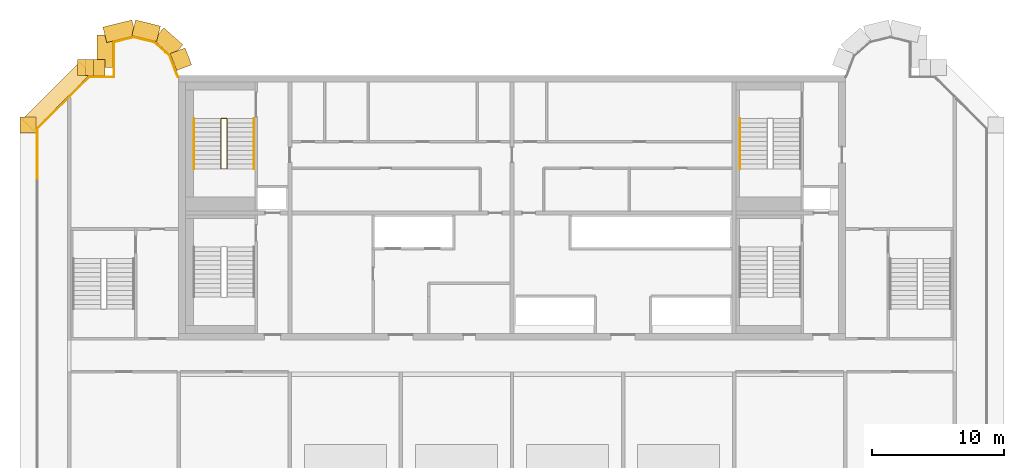
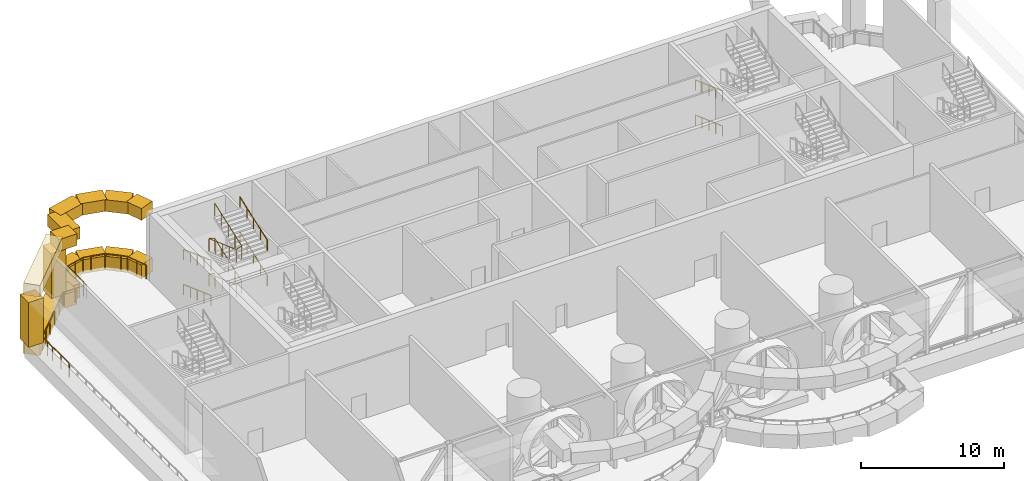
# One storey, part 11 of 15: 16 coverings, 16 railings.
"""IFC4 building model written with IfcOpenShell, lengths in metres."""

from ifc_helpers import new_model, si_unit, direction, frame, origin, origin_2d, place, context, subcontext, project, spatial, rectangle, circle, extrude, source, transform, mapped, material, type_object, element, save


model = new_model("IFC4")

# Units and contexts
model_context = context("Model", 3, precision=1e-05, world=origin(), true_north=direction((0.0, 1.0)))
body_context = subcontext(model_context, "Body", "Model", "MODEL_VIEW")
ifc_project = project(units=[si_unit("LENGTHUNIT", "METRE"), si_unit("AREAUNIT", "SQUARE_METRE"), si_unit("VOLUMEUNIT", "CUBIC_METRE"), si_unit("PLANEANGLEUNIT", "RADIAN"), si_unit("MASSUNIT", "GRAM", prefix="KILO")], contexts=[model_context])

# Site, building, storey
site_placement = place(None, origin())
site = spatial("IfcSite", under=ifc_project, at=site_placement, CompositionType="ELEMENT")
building_placement = place(site_placement, origin())
building = spatial("IfcBuilding", under=site, at=building_placement, Name="Vanashikhar Sky Hotel", CompositionType="ELEMENT")
storey_placement = place(building_placement, frame((0.0, 0.0, 317.699951171875)))
storey = spatial("IfcBuildingStorey", under=building, at=storey_placement, Name="L76", CompositionType="ELEMENT", Elevation=317.699951171875)

# Coverings
ifc_material_1 = material(Name="Concrete M60 dark", Category="concrete")
covering_type = type_object("IfcCoveringType", Name="Turbine slot portal frame", PredefinedType="CLADDING", material=ifc_material_1)
shared_shape_1 = source(origin(), body_context, "Body", "SweptSolid", [
    extrude(rectangle(XDim=6.154052734375, YDim=1.199951171875, at=origin_2d()), origin(), (0.0, 0.0, 1.0), 1.0),
])
covering_1_placement = place(storey_placement, frame((15.9755859375, 40.42431640625, 4.719970703125), z_axis=(0.0, 0.0, 1.0), x_axis=(-0.707106781187, -0.707106781187, 0.0)))
element("IfcCovering", 1, at=covering_1_placement, inside=storey, type_object=covering_type, Name="Portal frame head", PredefinedType="CLADDING", context=body_context, shape_type="MappedRepresentation", body=[
    mapped(shared_shape_1, transform((0.0, 0.0, 0.0), scale=1.0)),
])
shared_shape_2 = source(origin(), body_context, "Body", "SweptSolid", [
    extrude(rectangle(XDim=1.931640625, YDim=1.199951171875, at=origin_2d()), origin(), (0.0, 0.0, 1.0), 1.0),
])
covering_2_placement = place(storey_placement, frame((24.3984375, 44.518310546875, 4.719970703125), z_axis=(0.0, 0.0, 1.0), x_axis=(-0.749741606437, 0.661730703214, 0.0)))
element("IfcCovering", 2, at=covering_2_placement, inside=storey, type_object=covering_type, Name="Portal frame head", PredefinedType="CLADDING", context=body_context, shape_type="MappedRepresentation", body=[
    mapped(shared_shape_2, transform((0.0, 0.0, 0.0), scale=1.0)),
])
shared_shape_3 = source(origin(), body_context, "Body", "SweptSolid", [
    extrude(rectangle(XDim=1.931640625, YDim=1.199951171875, at=origin_2d()), origin(), (0.0, 0.0, 1.0), 1.179931640625),
])
covering_3_placement = place(storey_placement, frame((24.3984375, 44.518310546875, -0.27978515625), z_axis=(0.0, 0.0, 1.0), x_axis=(-0.749741606437, 0.661730703214, 0.0)))
element("IfcCovering", 3, at=covering_3_placement, inside=storey, type_object=covering_type, Name="Portal frame sill", PredefinedType="CLADDING", context=body_context, shape_type="MappedRepresentation", body=[
    mapped(shared_shape_3, transform((0.0, 0.0, 0.0), scale=1.0)),
])
shared_shape_4 = source(origin(), body_context, "Body", "SweptSolid", [
    extrude(rectangle(XDim=1.93017578125, YDim=1.199951171875, at=origin_2d()), origin(), (0.0, 0.0, 1.0), 1.0),
])
covering_4_placement = place(storey_placement, frame((22.7373046875, 45.3876953125, 4.719970703125), z_axis=(0.0, 0.0, 1.0), x_axis=(-0.971146768161, 0.23848260878, 0.0)))
element("IfcCovering", 4, at=covering_4_placement, inside=storey, type_object=covering_type, Name="Portal frame head", PredefinedType="CLADDING", context=body_context, shape_type="MappedRepresentation", body=[
    mapped(shared_shape_4, transform((0.0, 0.0, 0.0), scale=1.0)),
])
shared_shape_5 = source(origin(), body_context, "Body", "SweptSolid", [
    extrude(rectangle(XDim=1.93017578125, YDim=1.199951171875, at=origin_2d()), origin(), (0.0, 0.0, 1.0), 1.179931640625),
])
covering_5_placement = place(storey_placement, frame((22.7373046875, 45.3876953125, -0.27978515625), z_axis=(0.0, 0.0, 1.0), x_axis=(-0.971146768161, 0.23848260878, 0.0)))
element("IfcCovering", 5, at=covering_5_placement, inside=storey, type_object=covering_type, Name="Portal frame sill", PredefinedType="CLADDING", context=body_context, shape_type="MappedRepresentation", body=[
    mapped(shared_shape_5, transform((0.0, 0.0, 0.0), scale=1.0)),
])
shared_shape_6 = source(origin(), body_context, "Body", "SweptSolid", [
    extrude(rectangle(XDim=1.3701171875, YDim=1.199951171875, at=origin_2d()), origin(), (0.0, 0.0, 1.0), 1.0),
])
covering_6_placement = place(storey_placement, frame((25.36767578125, 43.239501953125, 4.719970703125), z_axis=(0.0, 0.0, 1.0), x_axis=(-0.357748696787, 0.933817899779, 0.0)))
element("IfcCovering", 6, at=covering_6_placement, inside=storey, type_object=covering_type, Name="Portal frame head", PredefinedType="CLADDING", context=body_context, shape_type="MappedRepresentation", body=[
    mapped(shared_shape_6, transform((0.0, 0.0, 0.0), scale=1.0)),
])
shared_shape_7 = source(origin(), body_context, "Body", "SweptSolid", [
    extrude(rectangle(XDim=1.3701171875, YDim=1.199951171875, at=origin_2d()), origin(), (0.0, 0.0, 1.0), 1.179931640625),
])
covering_7_placement = place(storey_placement, frame((25.36767578125, 43.239501953125, -0.27978515625), z_axis=(0.0, 0.0, 1.0), x_axis=(-0.357748696787, 0.933817899779, 0.0)))
element("IfcCovering", 7, at=covering_7_placement, inside=storey, type_object=covering_type, Name="Portal frame sill", PredefinedType="CLADDING", context=body_context, shape_type="MappedRepresentation", body=[
    mapped(shared_shape_7, transform((0.0, 0.0, 0.0), scale=1.0)),
])

# Railings
ifc_material_2 = material(Name="Stainless steel 316", Category="steel")
railing_type_1 = type_object("IfcRailingType", Name="Open edge guard 1200", PredefinedType="GUARDRAIL", material=ifc_material_2)
shared_shape_8 = source(origin(), body_context, "Body", "SweptSolid", [
    extrude(circle(Radius=0.02392578125, at=origin_2d()), frame((0.0, 0.0, 1.17578125), z_axis=(0.0, 1.0, 0.0), x_axis=(-1.0, 0.0, 0.0)), (0.0, 0.0, 1.0), 2.324462890625),
    extrude(circle(Radius=0.02099609375, at=origin_2d()), origin(), (0.0, 0.0, 1.0), 1.15185546875),
    extrude(circle(Radius=0.02099609375, at=origin_2d()), frame((0.0, 1.162109375, 0.0)), (0.0, 0.0, 1.0), 1.15185546875),
    extrude(circle(Radius=0.02099609375, at=origin_2d()), frame((0.0, 2.324462890625, 0.0)), (0.0, 0.0, 1.0), 1.15185546875),
])
railing_1_placement = place(storey_placement, frame((14.5, 34.209716796875, 0.0)))
element("IfcRailing", 8, at=railing_1_placement, inside=storey, type_object=railing_type_1, Name="Open edge guard", PredefinedType="GUARDRAIL", context=body_context, shape_type="MappedRepresentation", body=[
    mapped(shared_shape_8, transform((0.0, 0.0, 0.0), scale=1.0)),
])
shared_shape_9 = source(origin(), body_context, "Body", "SweptSolid", [
    extrude(circle(Radius=0.02392578125, at=origin_2d()), frame((0.0, 0.0, 1.17578125), z_axis=(0.0, 1.0, 0.0), x_axis=(-1.0, 0.0, 0.0)), (0.0, 0.0, 1.0), 1.42431640625),
    extrude(circle(Radius=0.02392578125, at=origin_2d()), frame((0.0, 1.42431640625, 1.17578125), z_axis=(0.707106781187, 0.707106781187, 0.0), x_axis=(-0.707106781187, 0.707106781187, 0.0)), (0.0, 0.0, 1.0), 0.900146484375),
    extrude(circle(Radius=0.02099609375, at=origin_2d()), origin(), (0.0, 0.0, 1.0), 1.15185546875),
    extrude(circle(Radius=0.02099609375, at=origin_2d()), frame((0.0, 0.712158203125, 0.0)), (0.0, 0.0, 1.0), 1.15185546875),
    extrude(circle(Radius=0.02099609375, at=origin_2d()), frame((0.0, 1.42431640625, 0.0)), (0.0, 0.0, 1.0), 1.15185546875),
    extrude(circle(Radius=0.02099609375, at=origin_2d()), frame((0.636474609375, 2.060791015625, 0.0)), (0.0, 0.0, 1.0), 1.15185546875),
])
railing_2_placement = place(storey_placement, frame((14.5, 36.5341796875, 0.0)))
element("IfcRailing", 9, at=railing_2_placement, inside=storey, type_object=railing_type_1, Name="Open edge guard", PredefinedType="GUARDRAIL", context=body_context, shape_type="MappedRepresentation", body=[
    mapped(shared_shape_9, transform((0.0, 0.0, 0.0), scale=1.0)),
])
shared_shape_10 = source(origin(), body_context, "Body", "SweptSolid", [
    extrude(circle(Radius=0.02392578125, at=origin_2d()), frame((0.0, 0.0, 1.17578125), z_axis=(0.707106781187, 0.707106781187, 0.0), x_axis=(-0.707106781187, 0.707106781187, 0.0)), (0.0, 0.0, 1.0), 2.32421875),
    extrude(circle(Radius=0.02099609375, at=origin_2d()), origin(), (0.0, 0.0, 1.0), 1.15185546875),
    extrude(circle(Radius=0.02099609375, at=origin_2d()), frame((0.82177734375, 0.82177734375, 0.0)), (0.0, 0.0, 1.0), 1.15185546875),
    extrude(circle(Radius=0.02099609375, at=origin_2d()), frame((1.6435546875, 1.6435546875, 0.0)), (0.0, 0.0, 1.0), 1.15185546875),
])
railing_3_placement = place(storey_placement, frame((15.136474609375, 38.594970703125, 0.0)))
element("IfcRailing", 10, at=railing_3_placement, inside=storey, type_object=railing_type_1, Name="Open edge guard", PredefinedType="GUARDRAIL", context=body_context, shape_type="MappedRepresentation", body=[
    mapped(shared_shape_10, transform((0.0, 0.0, 0.0), scale=1.0)),
])

# Covering
shared_shape_11 = source(origin(), body_context, "Body", "SweptSolid", [
    extrude(rectangle(XDim=6.154052734375, YDim=1.199951171875, at=origin_2d()), origin(), (0.0, 0.0, 1.0), 1.179931640625),
])
covering_8_placement = place(storey_placement, frame((15.9755859375, 40.42431640625, -0.27978515625), z_axis=(0.0, 0.0, 1.0), x_axis=(-0.707106781187, -0.707106781187, 0.0)))
element("IfcCovering", 11, at=covering_8_placement, inside=storey, type_object=covering_type, Name="Portal frame sill", PredefinedType="CLADDING", context=body_context, shape_type="MappedRepresentation", body=[
    mapped(shared_shape_11, transform((0.0, 0.0, 0.0), scale=1.0)),
])

# Railings
shared_shape_12 = source(origin(), body_context, "Body", "SweptSolid", [
    extrude(circle(Radius=0.02392578125, at=origin_2d()), frame((0.0, 0.0, 1.17578125), z_axis=(0.707106781187, 0.707106781187, 0.0), x_axis=(-0.707106781187, 0.707106781187, 0.0)), (0.0, 0.0, 1.0), 2.093017578125),
    extrude(circle(Radius=0.02392578125, at=origin_2d()), frame((1.47998046875, 1.47998046875, 1.17578125), z_axis=(1.0, 0.0, 0.0), x_axis=(0.0, 1.0, 0.0)), (0.0, 0.0, 1.0), 0.07861328125),
    extrude(circle(Radius=0.02099609375, at=origin_2d()), origin(), (0.0, 0.0, 1.0), 1.15185546875),
    extrude(circle(Radius=0.02099609375, at=origin_2d()), frame((0.739990234375, 0.739990234375, 0.0)), (0.0, 0.0, 1.0), 1.15185546875),
    extrude(circle(Radius=0.02099609375, at=origin_2d()), frame((1.47998046875, 1.47998046875, 0.0)), (0.0, 0.0, 1.0), 1.15185546875),
    extrude(circle(Radius=0.02099609375, at=origin_2d()), frame((1.55859375, 1.47998046875, 0.0)), (0.0, 0.0, 1.0), 1.15185546875),
])
railing_4_placement = place(storey_placement, frame((16.96142578125, 40.419921875, 0.0)))
element("IfcRailing", 12, at=railing_4_placement, inside=storey, type_object=railing_type_1, Name="Open edge guard", PredefinedType="GUARDRAIL", context=body_context, shape_type="MappedRepresentation", body=[
    mapped(shared_shape_12, transform((0.0, 0.0, 0.0), scale=1.0)),
])
shared_shape_13 = source(origin(), body_context, "Body", "SweptSolid", [
    extrude(circle(Radius=0.02392578125, at=origin_2d()), frame((0.0, 0.0, 1.17578125), z_axis=(1.0, 0.0, 0.0), x_axis=(0.0, 1.0, 0.0)), (0.0, 0.0, 1.0), 1.7919921875),
    extrude(circle(Radius=0.02392578125, at=origin_2d()), frame((1.7919921875, 0.0, 1.17578125), z_axis=(0.0, 1.0, 0.0), x_axis=(-1.0, 0.0, 0.0)), (0.0, 0.0, 1.0), 0.37939453125),
    extrude(circle(Radius=0.02099609375, at=origin_2d()), origin(), (0.0, 0.0, 1.0), 1.15185546875),
    extrude(circle(Radius=0.02099609375, at=origin_2d()), frame((0.89599609375, 0.0, 0.0)), (0.0, 0.0, 1.0), 1.15185546875),
    extrude(circle(Radius=0.02099609375, at=origin_2d()), frame((1.7919921875, 0.0, 0.0)), (0.0, 0.0, 1.0), 1.15185546875),
    extrude(circle(Radius=0.02099609375, at=origin_2d()), frame((1.7919921875, 0.37939453125, 0.0)), (0.0, 0.0, 1.0), 1.15185546875),
])
railing_5_placement = place(storey_placement, frame((18.52001953125, 41.89990234375, 0.0)))
element("IfcRailing", 13, at=railing_5_placement, inside=storey, type_object=railing_type_1, Name="Open edge guard", PredefinedType="GUARDRAIL", context=body_context, shape_type="MappedRepresentation", body=[
    mapped(shared_shape_13, transform((0.0, 0.0, 0.0), scale=1.0)),
])
shared_shape_14 = source(origin(), body_context, "Body", "SweptSolid", [
    extrude(circle(Radius=0.02392578125, at=origin_2d()), frame((0.0, 0.0, 1.17578125), z_axis=(0.0, 1.0, 0.0), x_axis=(-1.0, 0.0, 0.0)), (0.0, 0.0, 1.0), 2.171630859375),
    extrude(circle(Radius=0.02099609375, at=origin_2d()), origin(), (0.0, 0.0, 1.0), 1.15185546875),
    extrude(circle(Radius=0.02099609375, at=origin_2d()), frame((0.0, 1.0859375, 0.0)), (0.0, 0.0, 1.0), 1.15185546875),
    extrude(circle(Radius=0.02099609375, at=origin_2d()), frame((0.0, 2.171630859375, 0.0)), (0.0, 0.0, 1.0), 1.15185546875),
])
railing_6_placement = place(storey_placement, frame((20.31201171875, 42.279296875, 0.0)))
element("IfcRailing", 14, at=railing_6_placement, inside=storey, type_object=railing_type_1, Name="Open edge guard", PredefinedType="GUARDRAIL", context=body_context, shape_type="MappedRepresentation", body=[
    mapped(shared_shape_14, transform((0.0, 0.0, 0.0), scale=1.0)),
])
shared_shape_15 = source(origin(), body_context, "Body", "SweptSolid", [
    extrude(circle(Radius=0.02392578125, at=origin_2d()), frame((0.0, 0.0, 1.17578125), z_axis=(0.0, 1.0, 0.0), x_axis=(-1.0, 0.0, 0.0)), (0.0, 0.0, 1.0), 0.08056640625),
    extrude(circle(Radius=0.02392578125, at=origin_2d()), frame((0.0, 0.08056640625, 1.17578125), z_axis=(0.971137069772, 0.238522099007, 0.0), x_axis=(-0.238522099007, 0.971137069772, 0.0)), (0.0, 0.0, 1.0), 1.5322265625),
    extrude(circle(Radius=0.02392578125, at=origin_2d()), frame((1.488037109375, 0.446044921875, 1.17578125), z_axis=(0.971212752114, -0.238213748831, 0.0), x_axis=(0.238213748831, 0.971212752114, 0.0)), (0.0, 0.0, 1.0), 0.55859375),
    extrude(circle(Radius=0.02099609375, at=origin_2d()), origin(), (0.0, 0.0, 1.0), 1.15185546875),
    extrude(circle(Radius=0.02099609375, at=origin_2d()), frame((0.0, 0.08056640625, 0.0)), (0.0, 0.0, 1.0), 1.15185546875),
    extrude(circle(Radius=0.02099609375, at=origin_2d()), frame((0.744140625, 0.26318359375, 0.0)), (0.0, 0.0, 1.0), 1.15185546875),
    extrude(circle(Radius=0.02099609375, at=origin_2d()), frame((1.488037109375, 0.446044921875, 0.0)), (0.0, 0.0, 1.0), 1.15185546875),
    extrude(circle(Radius=0.02099609375, at=origin_2d()), frame((2.030517578125, 0.31298828125, 0.0)), (0.0, 0.0, 1.0), 1.15185546875),
])
railing_7_placement = place(storey_placement, frame((20.31201171875, 44.450927734375, 0.0)))
element("IfcRailing", 15, at=railing_7_placement, inside=storey, type_object=railing_type_1, Name="Open edge guard", PredefinedType="GUARDRAIL", context=body_context, shape_type="MappedRepresentation", body=[
    mapped(shared_shape_15, transform((0.0, 0.0, 0.0), scale=1.0)),
])
shared_shape_16 = source(origin(), body_context, "Body", "SweptSolid", [
    extrude(circle(Radius=0.02392578125, at=origin_2d()), frame((0.0, 0.0, 1.17578125), z_axis=(0.971126765186, -0.238564049975, 0.0), x_axis=(0.238564049975, 0.971126765186, 0.0)), (0.0, 0.0, 1.0), 1.027587890625),
    extrude(circle(Radius=0.02392578125, at=origin_2d()), frame((0.997802734375, -0.2451171875, 1.17578125), z_axis=(0.749700826639, -0.661776903902, 0.0), x_axis=(0.661776903902, 0.749700826639, 0.0)), (0.0, 0.0, 1.0), 1.14404296875),
    extrude(circle(Radius=0.02099609375, at=origin_2d()), origin(), (0.0, 0.0, 1.0), 1.15185546875),
    extrude(circle(Radius=0.02099609375, at=origin_2d()), frame((0.997802734375, -0.2451171875, 0.0)), (0.0, 0.0, 1.0), 1.15185546875),
    extrude(circle(Radius=0.02099609375, at=origin_2d()), frame((1.85546875, -1.002197265625, 0.0)), (0.0, 0.0, 1.0), 1.15185546875),
])
railing_8_placement = place(storey_placement, frame((22.342529296875, 44.763916015625, 0.0)))
element("IfcRailing", 16, at=railing_8_placement, inside=storey, type_object=railing_type_1, Name="Open edge guard", PredefinedType="GUARDRAIL", context=body_context, shape_type="MappedRepresentation", body=[
    mapped(shared_shape_16, transform((0.0, 0.0, 0.0), scale=1.0)),
])
shared_shape_17 = source(origin(), body_context, "Body", "SweptSolid", [
    extrude(circle(Radius=0.02392578125, at=origin_2d()), frame((0.0, 0.0, 1.17578125), z_axis=(0.749773591763, -0.66169446204, 0.0), x_axis=(0.66169446204, 0.749773591763, 0.0)), (0.0, 0.0, 1.0), 0.443603515625),
    extrude(circle(Radius=0.02392578125, at=origin_2d()), frame((0.33251953125, -0.29345703125, 1.17578125), z_axis=(0.357614897755, -0.933869147634, 0.0), x_axis=(0.933869147634, 0.357614897755, 0.0)), (0.0, 0.0, 1.0), 1.679443359375),
    extrude(circle(Radius=0.02392578125, at=origin_2d()), frame((0.93310546875, -1.86181640625, 1.17578125), z_axis=(1.0, 0.0, 0.0), x_axis=(0.0, 1.0, 0.0)), (0.0, 0.0, 1.0), 0.048828125),
    extrude(circle(Radius=0.02099609375, at=origin_2d()), origin(), (0.0, 0.0, 1.0), 1.15185546875),
    extrude(circle(Radius=0.02099609375, at=origin_2d()), frame((0.33251953125, -0.29345703125, 0.0)), (0.0, 0.0, 1.0), 1.15185546875),
    extrude(circle(Radius=0.02099609375, at=origin_2d()), frame((0.6328125, -1.07763671875, 0.0)), (0.0, 0.0, 1.0), 1.15185546875),
    extrude(circle(Radius=0.02099609375, at=origin_2d()), frame((0.93310546875, -1.86181640625, 0.0)), (0.0, 0.0, 1.0), 1.15185546875),
    extrude(circle(Radius=0.02099609375, at=origin_2d()), frame((0.98193359375, -1.86181640625, 0.0)), (0.0, 0.0, 1.0), 1.15185546875),
])
railing_9_placement = place(storey_placement, frame((24.197998046875, 43.76171875, 0.0)))
element("IfcRailing", 17, at=railing_9_placement, inside=storey, type_object=railing_type_1, Name="Open edge guard", PredefinedType="GUARDRAIL", context=body_context, shape_type="MappedRepresentation", body=[
    mapped(shared_shape_17, transform((0.0, 0.0, 0.0), scale=1.0)),
])

# Coverings
shared_shape_18 = source(origin(), body_context, "Body", "SweptSolid", [
    extrude(rectangle(XDim=1.46044921875, YDim=1.199951171875, at=origin_2d()), origin(), (0.0, 0.0, 1.0), 1.0),
])
covering_9_placement = place(storey_placement, frame((18.881591796875, 42.60009765625, 4.719970703125), z_axis=(0.0, 0.0, 1.0), x_axis=(-1.0, 0.0, 0.0)))
element("IfcCovering", 18, at=covering_9_placement, inside=storey, type_object=covering_type, Name="Portal frame head", PredefinedType="CLADDING", context=body_context, shape_type="MappedRepresentation", body=[
    mapped(shared_shape_18, transform((0.0, 0.0, 0.0), scale=1.0)),
])
shared_shape_19 = source(origin(), body_context, "Body", "SweptSolid", [
    extrude(rectangle(XDim=1.46044921875, YDim=1.199951171875, at=origin_2d()), origin(), (0.0, 0.0, 1.0), 1.179931640625),
])
covering_10_placement = place(storey_placement, frame((18.881591796875, 42.60009765625, -0.27978515625), z_axis=(0.0, 0.0, 1.0), x_axis=(-1.0, 0.0, 0.0)))
element("IfcCovering", 19, at=covering_10_placement, inside=storey, type_object=covering_type, Name="Portal frame sill", PredefinedType="CLADDING", context=body_context, shape_type="MappedRepresentation", body=[
    mapped(shared_shape_19, transform((0.0, 0.0, 0.0), scale=1.0)),
])
shared_shape_20 = source(origin(), body_context, "Body", "SweptSolid", [
    extrude(rectangle(XDim=2.48046875, YDim=1.199951171875, at=origin_2d()), origin(), (0.0, 0.0, 1.0), 1.0),
])
covering_11_placement = place(storey_placement, frame((19.612060546875, 43.840087890625, 4.719970703125), z_axis=(0.0, 0.0, 1.0), x_axis=(0.0, -1.0, 0.0)))
element("IfcCovering", 20, at=covering_11_placement, inside=storey, type_object=covering_type, Name="Portal frame head", PredefinedType="CLADDING", context=body_context, shape_type="MappedRepresentation", body=[
    mapped(shared_shape_20, transform((0.0, 0.0, 0.0), scale=1.0)),
])
shared_shape_21 = source(origin(), body_context, "Body", "SweptSolid", [
    extrude(rectangle(XDim=2.48046875, YDim=1.199951171875, at=origin_2d()), origin(), (0.0, 0.0, 1.0), 1.179931640625),
])
covering_12_placement = place(storey_placement, frame((19.612060546875, 43.840087890625, -0.27978515625), z_axis=(0.0, 0.0, 1.0), x_axis=(0.0, -1.0, 0.0)))
element("IfcCovering", 21, at=covering_12_placement, inside=storey, type_object=covering_type, Name="Portal frame sill", PredefinedType="CLADDING", context=body_context, shape_type="MappedRepresentation", body=[
    mapped(shared_shape_21, transform((0.0, 0.0, 0.0), scale=1.0)),
])
shared_shape_22 = source(origin(), body_context, "Body", "SweptSolid", [
    extrude(rectangle(XDim=2.2529296875, YDim=1.199951171875, at=origin_2d()), origin(), (0.0, 0.0, 1.0), 1.0),
])
covering_13_placement = place(storey_placement, frame((20.7060546875, 45.34912109375, 4.719970703125), z_axis=(0.0, 0.0, 1.0), x_axis=(-0.971146768161, -0.23848260878, 0.0)))
element("IfcCovering", 22, at=covering_13_placement, inside=storey, type_object=covering_type, Name="Portal frame head", PredefinedType="CLADDING", context=body_context, shape_type="MappedRepresentation", body=[
    mapped(shared_shape_22, transform((0.0, 0.0, 0.0), scale=1.0)),
])
shared_shape_23 = source(origin(), body_context, "Body", "SweptSolid", [
    extrude(rectangle(XDim=2.2529296875, YDim=1.199951171875, at=origin_2d()), origin(), (0.0, 0.0, 1.0), 1.179931640625),
])
covering_14_placement = place(storey_placement, frame((20.7060546875, 45.34912109375, -0.27978515625), z_axis=(0.0, 0.0, 1.0), x_axis=(-0.971146768161, -0.23848260878, 0.0)))
element("IfcCovering", 23, at=covering_14_placement, inside=storey, type_object=covering_type, Name="Portal frame sill", PredefinedType="CLADDING", context=body_context, shape_type="MappedRepresentation", body=[
    mapped(shared_shape_23, transform((0.0, 0.0, 0.0), scale=1.0)),
])
shared_shape_24 = source(origin(), body_context, "Body", "SweptSolid", [
    extrude(rectangle(XDim=1.199951171875, YDim=1.199951171875, at=origin_2d()), origin(), (0.0, 0.0, 1.0), 3.820068359375),
])
for number, where, z_axis, x_axis, name in (
    (24, (18.151611328125, 42.60009765625, 0.89990234375), (0.0, 0.0, 1.0), (1.0, 0.0, 0.0), "Portal frame jamb"),
    (25, (13.800048828125, 38.24853515625, 0.89990234375), (0.0, 0.0, 1.0), (1.0, 0.0, 0.0), "Portal frame jamb"),
):
    element("IfcCovering", number, at=place(storey_placement, frame(where, z_axis=z_axis, x_axis=x_axis)), inside=storey, type_object=covering_type, Name=name, PredefinedType="CLADDING", context=body_context, shape_type="MappedRepresentation", body=[
        mapped(shared_shape_24, transform((0.0, 0.0, 0.0), scale=1.0)),
    ])

# Railings
ifc_material_3 = material(Name="Steel S355", Category="steel")
railing_type_2 = type_object("IfcRailingType", Name="Stair handrail 900", PredefinedType="HANDRAIL", material=ifc_material_3)
shared_shape_25 = source(origin(), body_context, "Body", "SweptSolid", [
    extrude(circle(Radius=0.02392578125, at=origin_2d()), frame((0.0, 0.0, 0.8759765625), z_axis=(0.0, 0.940335516113, 0.340248610777), x_axis=(-1.0, 0.0, 0.0)), (0.0, 0.0, 1.0), 4.041259765625),
    extrude(circle(Radius=0.02099609375, at=origin_2d()), origin(), (0.0, 0.0, 1.0), 0.851806640625),
    extrude(circle(Radius=0.02099609375, at=origin_2d()), frame((0.0, 0.949951171875, 0.34375)), (0.0, 0.0, 1.0), 0.851806640625),
    extrude(circle(Radius=0.02099609375, at=origin_2d()), frame((0.0, 1.89990234375, 0.6875)), (0.0, 0.0, 1.0), 0.851806640625),
    extrude(circle(Radius=0.02099609375, at=origin_2d()), frame((0.0, 2.85009765625, 1.03125)), (0.0, 0.0, 1.0), 0.851806640625),
    extrude(circle(Radius=0.02099609375, at=origin_2d()), frame((0.0, 3.800048828125, 1.375)), (0.0, 0.0, 1.0), 0.851806640625),
])
for number, where, name in (
    (26, (30.89990234375, 34.949951171875, 1.625), "Exit stair 5 handrail"),
    (27, (30.89990234375, 34.949951171875, 4.625), "Exit stair 5 handrail"),
):
    element("IfcRailing", number, at=place(storey_placement, frame(where)), inside=storey, type_object=railing_type_2, Name=name, PredefinedType="HANDRAIL", context=body_context, shape_type="MappedRepresentation", body=[
        mapped(shared_shape_25, transform((0.0, 0.0, 0.0), scale=1.0)),
    ])
shared_shape_26 = source(origin(), body_context, "Body", "SweptSolid", [
    extrude(circle(Radius=0.02392578125, at=origin_2d()), frame((0.0, 0.0, 0.8759765625), z_axis=(0.0, -0.940335516113, 0.340248610777), x_axis=(1.0, 0.0, 0.0)), (0.0, 0.0, 1.0), 4.041259765625),
    extrude(circle(Radius=0.02099609375, at=origin_2d()), origin(), (0.0, 0.0, 1.0), 0.851806640625),
    extrude(circle(Radius=0.02099609375, at=origin_2d()), frame((0.0, -0.949951171875, 0.34375)), (0.0, 0.0, 1.0), 0.851806640625),
    extrude(circle(Radius=0.02099609375, at=origin_2d()), frame((0.0, -1.89990234375, 0.6875)), (0.0, 0.0, 1.0), 0.851806640625),
    extrude(circle(Radius=0.02099609375, at=origin_2d()), frame((0.0, -2.85009765625, 1.03125)), (0.0, 0.0, 1.0), 0.851806640625),
    extrude(circle(Radius=0.02099609375, at=origin_2d()), frame((0.0, -3.800048828125, 1.375)), (0.0, 0.0, 1.0), 0.851806640625),
])
for number, where, name in (
    (28, (26.35009765625, 38.75, 0.125), "Exit stair 5 handrail"),
    (29, (26.35009765625, 38.75, 3.125), "Exit stair 5 handrail"),
    (30, (67.64990234375, 38.75, 0.125), "Exit stair 6 handrail"),
    (31, (67.64990234375, 38.75, 3.125), "Exit stair 6 handrail"),
):
    element("IfcRailing", number, at=place(storey_placement, frame(where)), inside=storey, type_object=railing_type_2, Name=name, PredefinedType="HANDRAIL", context=body_context, shape_type="MappedRepresentation", body=[
        mapped(shared_shape_26, transform((0.0, 0.0, 0.0), scale=1.0)),
    ])
railing_type_3 = type_object("IfcRailingType", Name="Stair guard 1100", PredefinedType="GUARDRAIL", material=ifc_material_3)
shared_shape_27 = source(origin(), body_context, "Body", "SweptSolid", [
    extrude(circle(Radius=0.02392578125, at=origin_2d()), frame((0.0, 0.0, 1.076171875), z_axis=(-0.963547848091, 0.0, 0.267536061943), x_axis=(0.0, -1.0, 0.0)), (0.0, 0.0, 1.0), 0.46728515625),
    extrude(circle(Radius=0.02392578125, at=origin_2d()), frame((-0.4501953125, 0.0, 1.201171875), z_axis=(0.0, -0.940335516113, 0.340248610777), x_axis=(1.0, 0.0, 0.0)), (0.0, 0.0, 1.0), 4.041259765625),
    extrude(circle(Radius=0.02392578125, at=origin_2d()), frame((-0.4501953125, -3.800048828125, 2.576171875), z_axis=(0.963547848091, 0.0, 0.267536061943), x_axis=(0.0, 1.0, 0.0)), (0.0, 0.0, 1.0), 0.46728515625),
    extrude(circle(Radius=0.02392578125, at=origin_2d()), frame((0.0, -3.800048828125, 2.701171875), z_axis=(0.0, 0.940335516113, 0.340248610777), x_axis=(-1.0, 0.0, 0.0)), (0.0, 0.0, 1.0), 4.041259765625),
    extrude(circle(Radius=0.02392578125, at=origin_2d()), frame((0.0, 0.0, 4.076171875), z_axis=(-0.963547848091, 0.0, 0.267536061943), x_axis=(0.0, -1.0, 0.0)), (0.0, 0.0, 1.0), 0.46728515625),
    extrude(circle(Radius=0.02392578125, at=origin_2d()), frame((-0.4501953125, 0.0, 4.201171875), z_axis=(0.0, -0.940335516113, 0.340248610777), x_axis=(1.0, 0.0, 0.0)), (0.0, 0.0, 1.0), 4.041259765625),
    extrude(circle(Radius=0.02392578125, at=origin_2d()), frame((-0.4501953125, -3.800048828125, 5.576171875), z_axis=(0.963547848091, 0.0, 0.267536061943), x_axis=(0.0, 1.0, 0.0)), (0.0, 0.0, 1.0), 0.46728515625),
    extrude(circle(Radius=0.02392578125, at=origin_2d()), frame((0.0, -3.800048828125, 5.701171875), z_axis=(0.0, 0.940335516113, 0.340248610777), x_axis=(-1.0, 0.0, 0.0)), (0.0, 0.0, 1.0), 4.041259765625),
    extrude(circle(Radius=0.02099609375, at=origin_2d()), origin(), (0.0, 0.0, 1.0), 1.052001953125),
    extrude(circle(Radius=0.02099609375, at=origin_2d()), frame((-0.4501953125, 0.0, 0.125)), (0.0, 0.0, 1.0), 1.052001953125),
    extrude(circle(Radius=0.02099609375, at=origin_2d()), frame((-0.4501953125, -0.949951171875, 0.46875)), (0.0, 0.0, 1.0), 1.052001953125),
    extrude(circle(Radius=0.02099609375, at=origin_2d()), frame((-0.4501953125, -1.89990234375, 0.8125)), (0.0, 0.0, 1.0), 1.052001953125),
    extrude(circle(Radius=0.02099609375, at=origin_2d()), frame((-0.4501953125, -2.85009765625, 1.15625)), (0.0, 0.0, 1.0), 1.052001953125),
    extrude(circle(Radius=0.02099609375, at=origin_2d()), frame((-0.4501953125, -3.800048828125, 1.5)), (0.0, 0.0, 1.0), 1.052001953125),
    extrude(circle(Radius=0.02099609375, at=origin_2d()), frame((0.0, -3.800048828125, 1.625)), (0.0, 0.0, 1.0), 1.052001953125),
    extrude(circle(Radius=0.02099609375, at=origin_2d()), frame((0.0, -2.85009765625, 1.96875)), (0.0, 0.0, 1.0), 1.052001953125),
    extrude(circle(Radius=0.02099609375, at=origin_2d()), frame((0.0, -1.89990234375, 2.3125)), (0.0, 0.0, 1.0), 1.052001953125),
    extrude(circle(Radius=0.02099609375, at=origin_2d()), frame((0.0, -0.949951171875, 2.65625)), (0.0, 0.0, 1.0), 1.052001953125),
    extrude(circle(Radius=0.02099609375, at=origin_2d()), frame((0.0, 0.0, 3.0)), (0.0, 0.0, 1.0), 1.052001953125),
    extrude(circle(Radius=0.02099609375, at=origin_2d()), frame((-0.4501953125, 0.0, 3.125)), (0.0, 0.0, 1.0), 1.052001953125),
    extrude(circle(Radius=0.02099609375, at=origin_2d()), frame((-0.4501953125, -0.949951171875, 3.46875)), (0.0, 0.0, 1.0), 1.052001953125),
    extrude(circle(Radius=0.02099609375, at=origin_2d()), frame((-0.4501953125, -1.89990234375, 3.8125)), (0.0, 0.0, 1.0), 1.052001953125),
    extrude(circle(Radius=0.02099609375, at=origin_2d()), frame((-0.4501953125, -2.85009765625, 4.15625)), (0.0, 0.0, 1.0), 1.052001953125),
    extrude(circle(Radius=0.02099609375, at=origin_2d()), frame((-0.4501953125, -3.800048828125, 4.5)), (0.0, 0.0, 1.0), 1.052001953125),
    extrude(circle(Radius=0.02099609375, at=origin_2d()), frame((0.0, -3.800048828125, 4.625)), (0.0, 0.0, 1.0), 1.052001953125),
    extrude(circle(Radius=0.02099609375, at=origin_2d()), frame((0.0, -2.85009765625, 4.96875)), (0.0, 0.0, 1.0), 1.052001953125),
    extrude(circle(Radius=0.02099609375, at=origin_2d()), frame((0.0, -1.89990234375, 5.3125)), (0.0, 0.0, 1.0), 1.052001953125),
    extrude(circle(Radius=0.02099609375, at=origin_2d()), frame((0.0, -0.949951171875, 5.65625)), (0.0, 0.0, 1.0), 1.052001953125),
    extrude(circle(Radius=0.02099609375, at=origin_2d()), frame((0.0, 0.0, 6.0)), (0.0, 0.0, 1.0), 1.052001953125),
])
railing_10_placement = place(storey_placement, frame((28.85009765625, 38.75, 0.0)))
element("IfcRailing", 32, at=railing_10_placement, inside=storey, type_object=railing_type_3, Name="Exit stair 5 guard", PredefinedType="GUARDRAIL", context=body_context, shape_type="MappedRepresentation", body=[
    mapped(shared_shape_27, transform((0.0, 0.0, 0.0), scale=1.0)),
])

save(model, "model.ifc")
